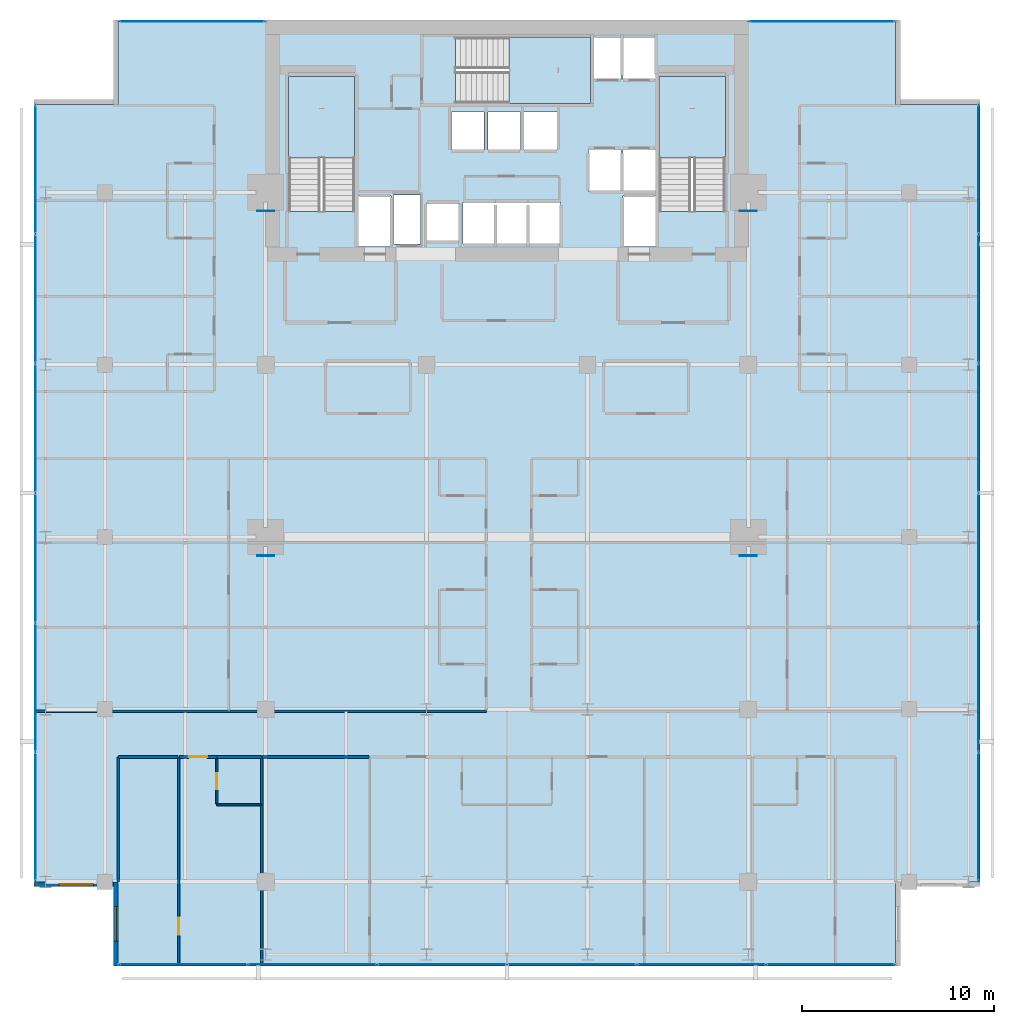
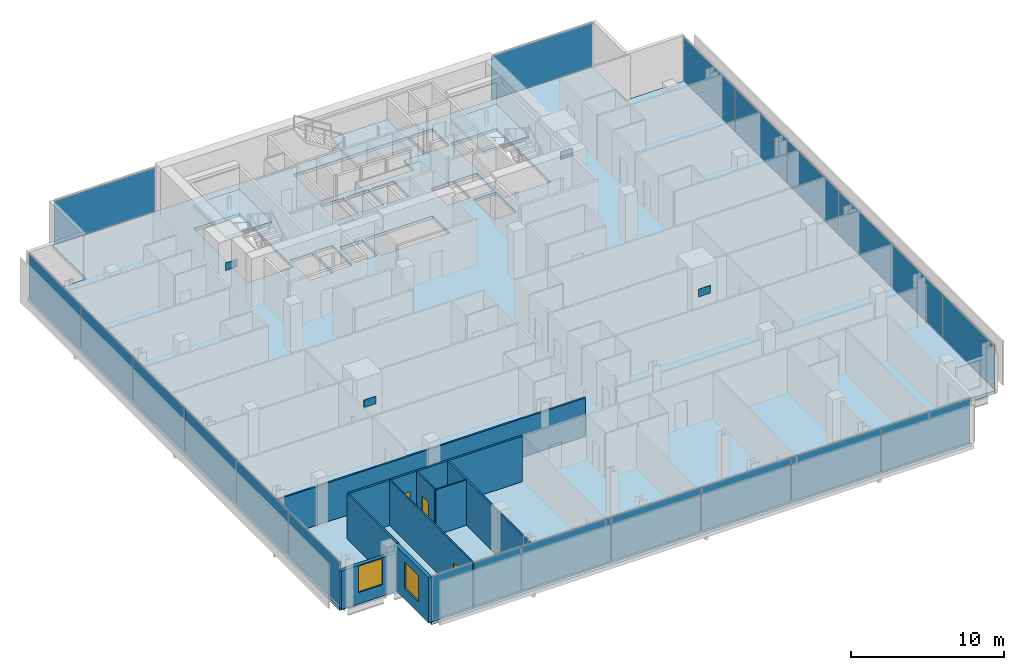
# One storey, part 26 of 34: 24 plates, 12 walls, 4 slabs, 3 doors, 2 windows, 5 openings, 8 elements without a shape of their own.
"""IFC4 building model written with IfcOpenShell, lengths in metres."""

from ifc_helpers import new_model, si_unit, direction, frame, frame_2d, origin, origin_2d, place, context, subcontext, project, spatial, polyline, rectangle, outline, extrude, material, layer, layer_set, type_object, element, fill, aggregate, save


model = new_model("IFC4")

# Units and contexts
model_context = context("Model", 3, precision=1e-05, world=origin(), true_north=direction((0.0, 1.0)))
body_context = subcontext(model_context, "Body", "Model", "MODEL_VIEW")
ifc_project = project(units=[si_unit("LENGTHUNIT", "METRE"), si_unit("AREAUNIT", "SQUARE_METRE"), si_unit("VOLUMEUNIT", "CUBIC_METRE"), si_unit("PLANEANGLEUNIT", "RADIAN"), si_unit("MASSUNIT", "GRAM", prefix="KILO")], contexts=[model_context])

# Site, building, storey
site_placement = place(None, origin())
site = spatial("IfcSite", under=ifc_project, at=site_placement, CompositionType="ELEMENT")
building_placement = place(site_placement, origin())
building = spatial("IfcBuilding", under=site, at=building_placement, Name="Maruvema Waterfront Hotel and Observation Tower", CompositionType="ELEMENT")
storey_placement = place(building_placement, frame((0.0, 0.0, 208.25)))
storey = spatial("IfcBuildingStorey", under=building, at=storey_placement, Name="L51", CompositionType="ELEMENT", Elevation=208.25)

# Slab
ifc_material_1 = material(Name="Concrete C50/60", Category="concrete")
ifc_layer_1 = layer(ifc_material_1, 0.239990234375, Name="Reinforced Concrete Floor Slab 240 mm")
ifc_layer_set_1 = layer_set([ifc_layer_1], Name="Concrete C50/60")
slab_type_1 = type_object("IfcSlabType", Name="Reinforced Concrete Floor Slab 240 mm", PredefinedType="FLOOR", material=ifc_layer_set_1)
slab_1_placement = place(storey_placement, frame((0.0, 0.0, -0.239990234375)))
element("IfcSlab", 1, at=slab_1_placement, inside=storey, type_object=slab_type_1, Name="L51 Structural Floor Slab", PredefinedType="FLOOR", context=body_context, shape_type="SweptSolid", body=[
    extrude(outline(polyline([(17.5, 4.60009765625), (58.10009765625, 4.60009765625), (58.10009765625, 9.0), (62.5, 9.0), (62.5, 49.60009765625), (58.10009765625, 49.60009765625), (58.10009765625, 54.0), (17.5, 54.0), (17.5, 49.60009765625), (13.10009765625, 49.60009765625), (13.10009765625, 9.0), (17.5, 9.0), (17.5, 4.60009765625)]), holes=[polyline([(26.39990234375, 44.00048828125), (26.39990234375, 51.050048828125), (29.85009765625, 51.050048828125), (29.85009765625, 44.00048828125), (26.39990234375, 44.00048828125)]), polyline([(30.050048828125, 44.800048828125), (31.75, 44.800048828125), (31.75, 42.169921875), (30.050048828125, 42.169921875), (30.050048828125, 44.800048828125)]), polyline([(31.8798828125, 44.860107421875), (33.280029296875, 44.860107421875), (33.280029296875, 42.2900390625), (31.8798828125, 42.2900390625), (31.8798828125, 44.860107421875)]), polyline([(33.60009765625, 44.449951171875), (35.300048828125, 44.449951171875), (35.300048828125, 42.449951171875), (33.60009765625, 42.449951171875), (33.60009765625, 44.449951171875)]), polyline([(34.89990234375, 49.199951171875), (36.60009765625, 49.199951171875), (36.60009765625, 47.199951171875), (34.89990234375, 47.199951171875), (34.89990234375, 49.199951171875)]), polyline([(36.800048828125, 49.199951171875), (38.5, 49.199951171875), (38.5, 47.199951171875), (36.800048828125, 47.199951171875), (36.800048828125, 49.199951171875)]), polyline([(35.5, 42.300048828125), (35.5, 44.5), (40.60009765625, 44.5), (40.60009765625, 42.300048828125), (35.5, 42.300048828125)]), polyline([(35.1005859375, 53.10009765625), (43.75, 53.10009765625), (43.75, 50.89990234375), (42.14990234375, 50.89990234375), (42.14990234375, 49.64990234375), (35.1005859375, 49.64990234375), (35.1005859375, 53.10009765625)]), polyline([(38.699951171875, 49.199951171875), (40.39990234375, 49.199951171875), (40.39990234375, 47.199951171875), (38.699951171875, 47.199951171875), (38.699951171875, 49.199951171875)]), polyline([(42.050048828125, 47.25), (43.75, 47.25), (43.75, 45.050048828125), (42.050048828125, 45.050048828125), (42.050048828125, 47.25)]), polyline([(43.85009765625, 44.800048828125), (45.550048828125, 44.800048828125), (45.550048828125, 42.169921875), (43.85009765625, 42.169921875), (43.85009765625, 44.800048828125)]), polyline([(43.85009765625, 47.25), (45.550048828125, 47.25), (45.550048828125, 45.050048828125), (43.85009765625, 45.050048828125), (43.85009765625, 47.25)]), polyline([(45.550048828125, 53.10009765625), (45.550048828125, 50.89990234375), (43.85009765625, 50.89990234375), (43.85009765625, 53.10009765625), (45.550048828125, 53.10009765625)]), polyline([(45.75, 44.00048828125), (45.75, 51.050048828125), (49.199951171875, 51.050048828125), (49.199951171875, 44.00048828125), (45.75, 44.00048828125)])]), origin(), (0.0, 0.0, 1.0), 0.239990234375),
])

# Curtain wall, plates
ifc_material_2 = material(Name="Anodised bronze aluminium and solar-control low-E IGU", Category="aluminium")
ifc_layer_2 = layer(ifc_material_2, 0.159912109375, Name="Zone 2 Amber Inner Thermal Curtain Wall System CW-03")
ifc_layer_set_2 = layer_set([ifc_layer_2], Name="Anodised bronze aluminium and solar-control low-E IGU")
curtain_wall_type = type_object("IfcCurtainWallType", Name="Zone 2 Amber Inner Thermal Curtain Wall System CW-03", PredefinedType="USERDEFINED", material=ifc_layer_set_2)
curtain_wall_1_placement = place(storey_placement, origin())
curtain_wall_1 = element("IfcCurtainWall", 2, at=curtain_wall_1_placement, inside=storey, type_object=curtain_wall_type, Name="L51 Curtain Wall CW-L51-S", ObjectType="UNITISED CURTAIN WALL", PredefinedType="USERDEFINED")
ifc_material_3 = material(Name="Laminated low-E solar-control double glazing", Category="glass")
ifc_layer_3 = layer(ifc_material_3, 0.035888671875, Name="Solar Control Double-Glazed Curtain Panel 36 mm")
ifc_layer_set_3 = layer_set([ifc_layer_3], Name="Laminated low-E solar-control double glazing")
plate_type_1 = type_object("IfcPlateType", Name="Solar Control Double-Glazed Curtain Panel 36 mm", PredefinedType="CURTAIN_PANEL", material=ifc_layer_set_3)
plate_1_placement = place(storey_placement, frame((20.8984375, 4.679931640625, 0.06005859375), z_axis=(0.0, 0.0, 1.0), x_axis=(1.0, 0.0, 0.0)))
plate_1 = element("IfcPlate", 3, at=plate_1_placement, type_object=plate_type_1, Name="CW-03 panel 1.1", PredefinedType="CURTAIN_PANEL", context=body_context, shape_type="SweptSolid", body=[
    extrude(rectangle(XDim=6.6767578125, YDim=0.028076171875, at=origin_2d()), origin(), (0.0, 0.0, 1.0), 3.489990234375),
])
plate_2_placement = place(storey_placement, frame((27.64990234375, 4.679931640625, 0.06005859375), z_axis=(0.0, 0.0, 1.0), x_axis=(1.0, 0.0, 0.0)))
plate_2 = element("IfcPlate", 4, at=plate_2_placement, type_object=plate_type_1, Name="CW-03 panel 2.1", PredefinedType="CURTAIN_PANEL", context=body_context, shape_type="SweptSolid", body=[
    extrude(rectangle(XDim=6.706787109375, YDim=0.028076171875, at=origin_2d()), origin(), (0.0, 0.0, 1.0), 3.489990234375),
])
plate_3_placement = place(storey_placement, frame((34.416748046875, 4.679931640625, 0.06005859375), z_axis=(0.0, 0.0, 1.0), x_axis=(1.0, 0.0, 0.0)))
plate_3 = element("IfcPlate", 5, at=plate_3_placement, type_object=plate_type_1, Name="CW-03 panel 3.1", PredefinedType="CURTAIN_PANEL", context=body_context, shape_type="SweptSolid", body=[
    extrude(rectangle(XDim=6.706787109375, YDim=0.028076171875, at=origin_2d()), origin(), (0.0, 0.0, 1.0), 3.489990234375),
])
plate_4_placement = place(storey_placement, frame((41.183349609375, 4.679931640625, 0.06005859375), z_axis=(0.0, 0.0, 1.0), x_axis=(1.0, 0.0, 0.0)))
plate_4 = element("IfcPlate", 6, at=plate_4_placement, type_object=plate_type_1, Name="CW-03 panel 4.1", PredefinedType="CURTAIN_PANEL", context=body_context, shape_type="SweptSolid", body=[
    extrude(rectangle(XDim=6.706787109375, YDim=0.028076171875, at=origin_2d()), origin(), (0.0, 0.0, 1.0), 3.489990234375),
])
plate_5_placement = place(storey_placement, frame((47.949951171875, 4.679931640625, 0.06005859375), z_axis=(0.0, 0.0, 1.0), x_axis=(1.0, 0.0, 0.0)))
plate_5 = element("IfcPlate", 7, at=plate_5_placement, type_object=plate_type_1, Name="CW-03 panel 5.1", PredefinedType="CURTAIN_PANEL", context=body_context, shape_type="SweptSolid", body=[
    extrude(rectangle(XDim=6.706787109375, YDim=0.028076171875, at=origin_2d()), origin(), (0.0, 0.0, 1.0), 3.489990234375),
])
plate_6_placement = place(storey_placement, frame((54.70166015625, 4.679931640625, 0.06005859375), z_axis=(0.0, 0.0, 1.0), x_axis=(1.0, 0.0, 0.0)))
plate_6 = element("IfcPlate", 8, at=plate_6_placement, type_object=plate_type_1, Name="CW-03 panel 6.1", PredefinedType="CURTAIN_PANEL", context=body_context, shape_type="SweptSolid", body=[
    extrude(rectangle(XDim=6.6767578125, YDim=0.028076171875, at=origin_2d()), origin(), (0.0, 0.0, 1.0), 3.489990234375),
])
aggregate(curtain_wall_1, [plate_1, plate_2, plate_3, plate_4, plate_5, plate_6])

curtain_wall_2_placement = place(storey_placement, origin())
curtain_wall_2 = element("IfcCurtainWall", 9, at=curtain_wall_2_placement, inside=storey, type_object=curtain_wall_type, Name="L51 Curtain Wall CW-L51-E", ObjectType="UNITISED CURTAIN WALL", PredefinedType="USERDEFINED")
plate_7_placement = place(storey_placement, frame((62.419921875, 12.3984375, 0.06005859375), z_axis=(0.0, 0.0, 1.0), x_axis=(0.0, 1.0, 0.0)))
plate_7 = element("IfcPlate", 10, at=plate_7_placement, type_object=plate_type_1, Name="CW-03 panel 1.1", PredefinedType="CURTAIN_PANEL", context=body_context, shape_type="SweptSolid", body=[
    extrude(rectangle(XDim=6.6767578125, YDim=0.028076171875, at=origin_2d()), origin(), (0.0, 0.0, 1.0), 3.489990234375),
])
plate_8_placement = place(storey_placement, frame((62.419921875, 19.14990234375, 0.06005859375), z_axis=(0.0, 0.0, 1.0), x_axis=(0.0, 1.0, 0.0)))
plate_8 = element("IfcPlate", 11, at=plate_8_placement, type_object=plate_type_1, Name="CW-03 panel 2.1", PredefinedType="CURTAIN_PANEL", context=body_context, shape_type="SweptSolid", body=[
    extrude(rectangle(XDim=6.706787109375, YDim=0.028076171875, at=origin_2d()), origin(), (0.0, 0.0, 1.0), 3.489990234375),
])
plate_9_placement = place(storey_placement, frame((62.419921875, 25.916748046875, 0.06005859375), z_axis=(0.0, 0.0, 1.0), x_axis=(0.0, 1.0, 0.0)))
plate_9 = element("IfcPlate", 12, at=plate_9_placement, type_object=plate_type_1, Name="CW-03 panel 3.1", PredefinedType="CURTAIN_PANEL", context=body_context, shape_type="SweptSolid", body=[
    extrude(rectangle(XDim=6.706787109375, YDim=0.028076171875, at=origin_2d()), origin(), (0.0, 0.0, 1.0), 3.489990234375),
])
plate_10_placement = place(storey_placement, frame((62.419921875, 32.683349609375, 0.06005859375), z_axis=(0.0, 0.0, 1.0), x_axis=(0.0, 1.0, 0.0)))
plate_10 = element("IfcPlate", 13, at=plate_10_placement, type_object=plate_type_1, Name="CW-03 panel 4.1", PredefinedType="CURTAIN_PANEL", context=body_context, shape_type="SweptSolid", body=[
    extrude(rectangle(XDim=6.706787109375, YDim=0.028076171875, at=origin_2d()), origin(), (0.0, 0.0, 1.0), 3.489990234375),
])
plate_11_placement = place(storey_placement, frame((62.419921875, 39.449951171875, 0.06005859375), z_axis=(0.0, 0.0, 1.0), x_axis=(0.0, 1.0, 0.0)))
plate_11 = element("IfcPlate", 14, at=plate_11_placement, type_object=plate_type_1, Name="CW-03 panel 5.1", PredefinedType="CURTAIN_PANEL", context=body_context, shape_type="SweptSolid", body=[
    extrude(rectangle(XDim=6.706787109375, YDim=0.028076171875, at=origin_2d()), origin(), (0.0, 0.0, 1.0), 3.489990234375),
])
plate_12_placement = place(storey_placement, frame((62.419921875, 46.20166015625, 0.06005859375), z_axis=(0.0, 0.0, 1.0), x_axis=(0.0, 1.0, 0.0)))
plate_12 = element("IfcPlate", 15, at=plate_12_placement, type_object=plate_type_1, Name="CW-03 panel 6.1", PredefinedType="CURTAIN_PANEL", context=body_context, shape_type="SweptSolid", body=[
    extrude(rectangle(XDim=6.6767578125, YDim=0.028076171875, at=origin_2d()), origin(), (0.0, 0.0, 1.0), 3.489990234375),
])
aggregate(curtain_wall_2, [plate_7, plate_8, plate_9, plate_10, plate_11, plate_12])

curtain_wall_3_placement = place(storey_placement, origin())
curtain_wall_3 = element("IfcCurtainWall", 16, at=curtain_wall_3_placement, inside=storey, type_object=curtain_wall_type, Name="L51 Curtain Wall CW-L51-W", ObjectType="UNITISED CURTAIN WALL", PredefinedType="USERDEFINED")
plate_13_placement = place(storey_placement, frame((13.179931640625, 46.20166015625, 0.06005859375), z_axis=(0.0, 0.0, 1.0), x_axis=(0.0, -1.0, 0.0)))
plate_13 = element("IfcPlate", 17, at=plate_13_placement, type_object=plate_type_1, Name="CW-03 panel 1.1", PredefinedType="CURTAIN_PANEL", context=body_context, shape_type="SweptSolid", body=[
    extrude(rectangle(XDim=6.6767578125, YDim=0.028076171875, at=origin_2d()), origin(), (0.0, 0.0, 1.0), 3.489990234375),
])
plate_14_placement = place(storey_placement, frame((13.179931640625, 39.449951171875, 0.06005859375), z_axis=(0.0, 0.0, 1.0), x_axis=(0.0, -1.0, 0.0)))
plate_14 = element("IfcPlate", 18, at=plate_14_placement, type_object=plate_type_1, Name="CW-03 panel 2.1", PredefinedType="CURTAIN_PANEL", context=body_context, shape_type="SweptSolid", body=[
    extrude(rectangle(XDim=6.706787109375, YDim=0.028076171875, at=origin_2d()), origin(), (0.0, 0.0, 1.0), 3.489990234375),
])
plate_15_placement = place(storey_placement, frame((13.179931640625, 32.683349609375, 0.06005859375), z_axis=(0.0, 0.0, 1.0), x_axis=(0.0, -1.0, 0.0)))
plate_15 = element("IfcPlate", 19, at=plate_15_placement, type_object=plate_type_1, Name="CW-03 panel 3.1", PredefinedType="CURTAIN_PANEL", context=body_context, shape_type="SweptSolid", body=[
    extrude(rectangle(XDim=6.706787109375, YDim=0.028076171875, at=origin_2d()), origin(), (0.0, 0.0, 1.0), 3.489990234375),
])
plate_16_placement = place(storey_placement, frame((13.179931640625, 25.916748046875, 0.06005859375), z_axis=(0.0, 0.0, 1.0), x_axis=(0.0, -1.0, 0.0)))
plate_16 = element("IfcPlate", 20, at=plate_16_placement, type_object=plate_type_1, Name="CW-03 panel 4.1", PredefinedType="CURTAIN_PANEL", context=body_context, shape_type="SweptSolid", body=[
    extrude(rectangle(XDim=6.706787109375, YDim=0.028076171875, at=origin_2d()), origin(), (0.0, 0.0, 1.0), 3.489990234375),
])
plate_17_placement = place(storey_placement, frame((13.179931640625, 19.14990234375, 0.06005859375), z_axis=(0.0, 0.0, 1.0), x_axis=(0.0, -1.0, 0.0)))
plate_17 = element("IfcPlate", 21, at=plate_17_placement, type_object=plate_type_1, Name="CW-03 panel 5.1", PredefinedType="CURTAIN_PANEL", context=body_context, shape_type="SweptSolid", body=[
    extrude(rectangle(XDim=6.706787109375, YDim=0.028076171875, at=origin_2d()), origin(), (0.0, 0.0, 1.0), 3.489990234375),
])
plate_18_placement = place(storey_placement, frame((13.179931640625, 12.3984375, 0.06005859375), z_axis=(0.0, 0.0, 1.0), x_axis=(0.0, -1.0, 0.0)))
plate_18 = element("IfcPlate", 22, at=plate_18_placement, type_object=plate_type_1, Name="CW-03 panel 6.1", PredefinedType="CURTAIN_PANEL", context=body_context, shape_type="SweptSolid", body=[
    extrude(rectangle(XDim=6.6767578125, YDim=0.028076171875, at=origin_2d()), origin(), (0.0, 0.0, 1.0), 3.489990234375),
])
aggregate(curtain_wall_3, [plate_13, plate_14, plate_15, plate_16, plate_17, plate_18])

# Curtain wall, plate
curtain_wall_4_placement = place(storey_placement, origin())
curtain_wall_4 = element("IfcCurtainWall", 23, at=curtain_wall_4_placement, inside=storey, type_object=curtain_wall_type, Name="L51 Curtain Wall CW-L51-NW", ObjectType="UNITISED CURTAIN WALL", PredefinedType="USERDEFINED")
plate_19_placement = place(storey_placement, frame((21.35009765625, 53.919921875, 0.06005859375), z_axis=(0.0, 0.0, 1.0), x_axis=(-1.0, 0.0, 0.0)))
plate_19 = element("IfcPlate", 24, at=plate_19_placement, type_object=plate_type_1, Name="CW-03 panel 1.1", PredefinedType="CURTAIN_PANEL", context=body_context, shape_type="SweptSolid", body=[
    extrude(rectangle(XDim=7.580078125, YDim=0.028076171875, at=origin_2d()), origin(), (0.0, 0.0, 1.0), 3.489990234375),
])
aggregate(curtain_wall_4, [plate_19])

curtain_wall_5_placement = place(storey_placement, origin())
curtain_wall_5 = element("IfcCurtainWall", 25, at=curtain_wall_5_placement, inside=storey, type_object=curtain_wall_type, Name="L51 Curtain Wall CW-L51-NE", ObjectType="UNITISED CURTAIN WALL", PredefinedType="USERDEFINED")
plate_20_placement = place(storey_placement, frame((54.25, 53.919921875, 0.06005859375), z_axis=(0.0, 0.0, 1.0), x_axis=(-1.0, 0.0, 0.0)))
plate_20 = element("IfcPlate", 26, at=plate_20_placement, type_object=plate_type_1, Name="CW-03 panel 1.1", PredefinedType="CURTAIN_PANEL", context=body_context, shape_type="SweptSolid", body=[
    extrude(rectangle(XDim=7.580078125, YDim=0.028076171875, at=origin_2d()), origin(), (0.0, 0.0, 1.0), 3.489990234375),
])
aggregate(curtain_wall_5, [plate_20])

# Stair, slab
ifc_material_4 = material(Name="Concrete C50/60", Category="concrete")
stair_type = type_object("IfcStairType", Name="Dogleg Exit Stair 1650 mm (22R x 175.0 mm)", PredefinedType="HALF_TURN_STAIR", material=ifc_material_4)
stair_1_placement = place(storey_placement, origin())
stair_1 = element("IfcStair", 27, at=stair_1_placement, inside=storey, type_object=stair_type, Name="L51 ST-01", PredefinedType="HALF_TURN_STAIR")
ifc_material_5 = material(Name="Concrete C50/60", Category="concrete")
ifc_layer_4 = layer(ifc_material_5, 0.219970703125, Name="Stair Concrete Landing Slab 220 mm")
ifc_layer_set_4 = layer_set([ifc_layer_4], Name="Concrete C50/60")
slab_type_2 = type_object("IfcSlabType", Name="Stair Concrete Landing Slab 220 mm", PredefinedType="LANDING", material=ifc_layer_set_4)
slab_2_placement = place(storey_placement, frame((0.0, 0.0, 1.705078125)))
slab_2 = element("IfcSlab", 28, at=slab_2_placement, type_object=slab_type_2, Name="ST-01 landing 1", PredefinedType="LANDING", context=body_context, shape_type="SweptSolid", body=[
    extrude(outline(polyline([(29.85009765625, 46.800048828125), (29.85009765625, 51.050048828125), (26.39990234375, 51.050048828125), (26.39990234375, 46.800048828125), (29.85009765625, 46.800048828125)])), origin(), (0.0, 0.0, 1.0), 0.219970703125),
])
aggregate(stair_1, [slab_2])

stair_2_placement = place(storey_placement, origin())
stair_2 = element("IfcStair", 29, at=stair_2_placement, inside=storey, type_object=stair_type, Name="L51 ST-02", PredefinedType="HALF_TURN_STAIR")
slab_3_placement = place(storey_placement, frame((0.0, 0.0, 1.705078125)))
slab_3 = element("IfcSlab", 30, at=slab_3_placement, type_object=slab_type_2, Name="ST-02 landing 1", PredefinedType="LANDING", context=body_context, shape_type="SweptSolid", body=[
    extrude(outline(polyline([(37.89990234375, 49.64990234375), (42.14990234375, 49.64990234375), (42.14990234375, 53.10009765625), (37.89990234375, 53.10009765625), (37.89990234375, 49.64990234375)])), origin(), (0.0, 0.0, 1.0), 0.219970703125),
])
aggregate(stair_2, [slab_3])

stair_3_placement = place(storey_placement, origin())
stair_3 = element("IfcStair", 31, at=stair_3_placement, inside=storey, type_object=stair_type, Name="L51 ST-03", PredefinedType="HALF_TURN_STAIR")
slab_4_placement = place(storey_placement, frame((0.0, 0.0, 1.705078125)))
slab_4 = element("IfcSlab", 32, at=slab_4_placement, type_object=slab_type_2, Name="ST-03 landing 1", PredefinedType="LANDING", context=body_context, shape_type="SweptSolid", body=[
    extrude(outline(polyline([(49.199951171875, 46.800048828125), (49.199951171875, 51.050048828125), (45.75, 51.050048828125), (45.75, 46.800048828125), (49.199951171875, 46.800048828125)])), origin(), (0.0, 0.0, 1.0), 0.219970703125),
])
aggregate(stair_3, [slab_4])

# Plates
ifc_material_6 = material(Name="Steel ABNT NBR 7007 AR 415 (ASTM A572 Grade 50)", Category="steel")
ifc_layer_5 = layer(ifc_material_6, 0.0400390625, Name="Structural Truss Node Gusset Plate 40 mm")
ifc_layer_set_5 = layer_set([ifc_layer_5], Name="Steel ABNT NBR 7007 AR 415 (ASTM A572 Grade 50)")
plate_type_2 = type_object("IfcPlateType", Name="Structural Truss Node Gusset Plate 40 mm", PredefinedType="USERDEFINED", material=ifc_layer_set_5)
for number, where, z_axis, x_axis, name in (
    (33, (25.199951171875, 26.030029296875, 1.5), (0.0, 0.0, 1.0), (1.0, 0.0, 0.0), "L51 MC-01 Moment Frame Continuity Gusset Plate"),
    (34, (50.39990234375, 26.030029296875, 1.5), (0.0, 0.0, 1.0), (1.0, 0.0, 0.0), "L51 MC-02 Moment Frame Continuity Gusset Plate"),
    (35, (25.199951171875, 44.030029296875, 1.5), (0.0, 0.0, 1.0), (1.0, 0.0, 0.0), "L51 MC-03 Moment Frame Continuity Gusset Plate"),
    (36, (50.39990234375, 44.030029296875, 1.5), (0.0, 0.0, 1.0), (1.0, 0.0, 0.0), "L51 MC-04 Moment Frame Continuity Gusset Plate"),
):
    element("IfcPlate", number, at=place(storey_placement, frame(where, z_axis=z_axis, x_axis=x_axis)), inside=storey, type_object=plate_type_2, Name=name, ObjectType="GUSSET_PLATE", PredefinedType="USERDEFINED", context=body_context, shape_type="SweptSolid", body=[
        extrude(rectangle(XDim=0.89990234375, YDim=0.0400390625, at=origin_2d()), origin(), (0.0, 0.0, 1.0), 0.60009765625),
    ])

# Walls
ifc_material_7 = material(Name="Twin-stud acoustic gypsum drywall", Category="gypsum")
ifc_layer_6 = layer(ifc_material_7, 0.14990234375, Name="Acoustic Corridor and Suite Demising Wall 150 mm")
ifc_layer_set_6 = layer_set([ifc_layer_6], Name="Twin-stud acoustic gypsum drywall")
wall_type_1 = type_object("IfcWallType", Name="Acoustic Corridor and Suite Demising Wall 150 mm", PredefinedType="PARTITIONING", material=ifc_layer_set_6)
wall_1_placement = place(storey_placement, frame((22.64990234375, 15.52001953125, 0.0), z_axis=(0.0, 0.0, 1.0), x_axis=(1.0, 0.0, 0.0)))
element("IfcWall", 37, at=wall_1_placement, inside=storey, type_object=wall_type_1, Name="L51 Bath L51-S1 Back Wall 031", PredefinedType="PARTITIONING", context=body_context, shape_type="SweptSolid", body=[
    extrude(rectangle(XDim=2.330078125, YDim=0.14990234375, at=frame_2d((1.1650390625, 0.0))), origin(), (0.0, 0.0, 1.0), 3.610107421875),
])
wall_2_placement = place(storey_placement, frame((17.52001953125, 15.52001953125, 0.0), z_axis=(0.0, 0.0, 1.0), x_axis=(1.0, 0.0, 0.0)))
element("IfcWall", 38, at=wall_2_placement, inside=storey, type_object=wall_type_1, Name="L51 Bedroom L51-S1 Back Wall 034", PredefinedType="PARTITIONING", context=body_context, shape_type="SweptSolid", body=[
    extrude(rectangle(XDim=3.090087890625, YDim=0.14990234375, at=frame_2d((1.544921875, 0.0))), origin(), (0.0, 0.0, 1.0), 3.610107421875),
])

# Wall, opening, door
wall_3_placement = place(storey_placement, frame((20.68994140625, 15.52001953125, 0.0), z_axis=(0.0, 0.0, 1.0), x_axis=(1.0, 0.0, 0.0)))
wall_3 = element("IfcWall", 39, at=wall_3_placement, inside=storey, type_object=wall_type_1, Name="L51 Unit L51-S1 Corridor Wall 035", PredefinedType="PARTITIONING", context=body_context, shape_type="SweptSolid", body=[
    extrude(rectangle(XDim=1.9599609375, YDim=0.14990234375, at=frame_2d((0.97998046875, 0.0))), origin(), (0.0, 0.0, 1.0), 3.610107421875),
])
opening_1_placement = place(wall_3_placement, frame((0.5048828125, 0.0, 0.0)))
opening_1 = element("IfcOpeningElement", 40, at=opening_1_placement, cuts=wall_3, Name="Opening DR-095", PredefinedType="OPENING", context=body_context, shape_type="SweptSolid", body=[
    extrude(rectangle(XDim=0.949951171875, YDim=2.14990234375, at=frame_2d((0.47509765625, 1.074951171875))), frame((0.0, 0.0849609375, 0.0), z_axis=(0.0, -1.0, 0.0), x_axis=(1.0, 0.0, 0.0)), (0.0, 0.0, 1.0), 0.169921875),
])
ifc_material_8 = material(Name="Acoustic solid-core hardwood timber leaf", Category="wood")
door_type_1 = type_object("IfcDoorType", Name="Guestroom Entrance Fire Door 950x2150 mm", OperationType="NOTDEFINED", PredefinedType="DOOR", material=ifc_material_8)
door_1_placement = place(opening_1_placement, frame((0.949951171875, 0.0, 0.0), z_axis=(0.0, 0.0, 1.0), x_axis=(-1.0, 0.0, 0.0)))
door_1 = element("IfcDoor", 41, at=door_1_placement, inside=storey, type_object=door_type_1, Name="L51 Unit L51-S1 Entrance Door", OperationType="SINGLE_SWING_RIGHT", OverallHeight=2.14990234375, OverallWidth=0.949951171875, PredefinedType="DOOR", context=body_context, shape_type="SweptSolid", body=[
    extrude(rectangle(XDim=0.949951171875, YDim=2.14990234375, at=frame_2d((0.47509765625, 1.074951171875))), frame((0.0, 0.02490234375, 0.0), z_axis=(0.0, -1.0, 0.0), x_axis=(1.0, 0.0, 0.0)), (0.0, 0.0, 1.0), 0.050048828125),
])
fill(opening_1, door_1)

# Walls
wall_4_placement = place(storey_placement, frame((25.02001953125, 15.52001953125, 0.0), z_axis=(0.0, 0.0, 1.0), x_axis=(1.0, 0.0, 0.0)))
element("IfcWall", 42, at=wall_4_placement, inside=storey, type_object=wall_type_1, Name="L51 Bedroom L51-S2 Back Wall 041", PredefinedType="PARTITIONING", context=body_context, shape_type="SweptSolid", body=[
    extrude(rectangle(XDim=5.572021484375, YDim=0.14990234375, at=frame_2d((2.7861328125, 0.0))), origin(), (0.0, 0.0, 1.0), 3.610107421875),
])
ifc_material_9 = material(Name="Moisture-resistant cement-board drywall", Category="gypsum")
ifc_layer_7 = layer(ifc_material_9, 0.10009765625, Name="En-Suite Moisture-Resistant Partition 100 mm")
ifc_layer_set_7 = layer_set([ifc_layer_7], Name="Moisture-resistant cement-board drywall")
wall_type_2 = type_object("IfcWallType", Name="En-Suite Moisture-Resistant Partition 100 mm", PredefinedType="PARTITIONING", material=ifc_layer_set_7)
wall_5_placement = place(storey_placement, frame((22.64990234375, 13.02001953125, 0.0), z_axis=(0.0, 0.0, 1.0), x_axis=(1.0, 0.0, 0.0)))
element("IfcWall", 43, at=wall_5_placement, inside=storey, type_object=wall_type_2, Name="L51 En-Suite L51-S1 South 032", PredefinedType="PARTITIONING", context=body_context, shape_type="SweptSolid", body=[
    extrude(rectangle(XDim=2.31005859375, YDim=0.10009765625, at=frame_2d((1.155029296875, 0.0))), origin(), (0.0, 0.0, 1.0), 3.610107421875),
])

# Wall, opening, door
wall_6_placement = place(storey_placement, frame((22.64990234375, 13.080078125, 0.0), z_axis=(0.0, 0.0, 1.0), x_axis=(0.0, 1.0, 0.0)))
wall_6 = element("IfcWall", 44, at=wall_6_placement, inside=storey, type_object=wall_type_2, Name="L51 En-Suite L51-S1 West 033", PredefinedType="PARTITIONING", context=body_context, shape_type="SweptSolid", body=[
    extrude(rectangle(XDim=2.33984375, YDim=0.10009765625, at=frame_2d((1.169921875, 0.0))), origin(), (0.0, 0.0, 1.0), 3.610107421875),
])
opening_2_placement = place(wall_6_placement, frame((0.7451171875, 0.0, 0.0)))
opening_2 = element("IfcOpeningElement", 45, at=opening_2_placement, cuts=wall_6, Name="Opening DR-085", PredefinedType="OPENING", context=body_context, shape_type="SweptSolid", body=[
    extrude(rectangle(XDim=0.85009765625, YDim=2.10009765625, at=frame_2d((0.425048828125, 1.050048828125))), frame((0.0, 0.06005859375, 0.0), z_axis=(0.0, -1.0, 0.0), x_axis=(1.0, 0.0, 0.0)), (0.0, 0.0, 1.0), 0.1201171875),
])
ifc_material_10 = material(Name="Moisture-resistant solid timber leaf", Category="wood")
door_type_2 = type_object("IfcDoorType", Name="En-Suite Bathroom Door 850x2100 mm", OperationType="NOTDEFINED", PredefinedType="DOOR", material=ifc_material_10)
door_2_placement = place(opening_2_placement, origin())
door_2 = element("IfcDoor", 46, at=door_2_placement, inside=storey, type_object=door_type_2, Name="L51 En-Suite L51-S1 Door", OperationType="SINGLE_SWING_LEFT", OverallHeight=2.10009765625, OverallWidth=0.85009765625, PredefinedType="DOOR", context=body_context, shape_type="SweptSolid", body=[
    extrude(rectangle(XDim=0.85009765625, YDim=2.10009765625, at=frame_2d((0.425048828125, 1.050048828125))), frame((0.0, 0.02490234375, 0.0), z_axis=(0.0, -1.0, 0.0), x_axis=(1.0, 0.0, 0.0)), (0.0, 0.0, 1.0), 0.050048828125),
])
fill(opening_2, door_2)

wall_7_placement = place(storey_placement, frame((20.64990234375, 4.6298828125, 0.0), z_axis=(0.0, 0.0, 1.0), x_axis=(0.0, 1.0, 0.0)))
wall_7 = element("IfcWall", 47, at=wall_7_placement, inside=storey, type_object=wall_type_2, Name="L51 Suite L51-S1 Split 036", PredefinedType="PARTITIONING", context=body_context, shape_type="SweptSolid", body=[
    extrude(rectangle(XDim=10.830078125, YDim=0.10009765625, at=frame_2d((5.4150390625, 0.0))), origin(), (0.0, 0.0, 1.0), 3.610107421875),
])
opening_3_placement = place(wall_7_placement, frame((1.60009765625, 0.0, 0.0)))
opening_3 = element("IfcOpeningElement", 48, at=opening_3_placement, cuts=wall_7, Name="Opening DR-090", PredefinedType="OPENING", context=body_context, shape_type="SweptSolid", body=[
    extrude(rectangle(XDim=0.89990234375, YDim=2.10009765625, at=frame_2d((0.449951171875, 1.050048828125))), frame((0.0, 0.06005859375, 0.0), z_axis=(0.0, -1.0, 0.0), x_axis=(1.0, 0.0, 0.0)), (0.0, 0.0, 1.0), 0.1201171875),
])
ifc_material_11 = material(Name="Solid-core lacquered timber leaf", Category="wood")
door_type_3 = type_object("IfcDoorType", Name="Accessible Toilet and Room Door 900x2100 mm", OperationType="NOTDEFINED", PredefinedType="DOOR", material=ifc_material_11)
door_3_placement = place(opening_3_placement, frame((0.89990234375, 0.0, 0.0), z_axis=(0.0, 0.0, 1.0), x_axis=(-1.0, 0.0, 0.0)))
door_3 = element("IfcDoor", 49, at=door_3_placement, inside=storey, type_object=door_type_3, Name="L51 Suite L51-S1 Bedroom Door", OperationType="SINGLE_SWING_LEFT", OverallHeight=2.10009765625, OverallWidth=0.89990234375, PredefinedType="DOOR", context=body_context, shape_type="SweptSolid", body=[
    extrude(rectangle(XDim=0.89990234375, YDim=2.10009765625, at=frame_2d((0.449951171875, 1.050048828125))), frame((0.0, 0.02490234375, 0.0), z_axis=(0.0, -1.0, 0.0), x_axis=(1.0, 0.0, 0.0)), (0.0, 0.0, 1.0), 0.050048828125),
])
fill(opening_3, door_3)

# Wall, opening, window
ifc_material_12 = material(Name="Precast concrete C45/55 with honed Pernambuco granite facing", Category="masonry")
ifc_layer_8 = layer(ifc_material_12, 0.260009765625, Name="Exterior Granite Clad Spandrel and Pier Wall 260 mm")
ifc_layer_set_8 = layer_set([ifc_layer_8], Name="Precast concrete C45/55 with honed Pernambuco granite facing")
wall_type_3 = type_object("IfcWallType", Name="Exterior Granite Clad Spandrel and Pier Wall 260 mm", PredefinedType="SOLIDWALL", material=ifc_layer_set_8)
wall_8_placement = place(storey_placement, frame((17.3701171875, 4.60009765625, 0.0), z_axis=(0.0, 0.0, 1.0), x_axis=(0.0, 1.0, 0.0)))
wall_8 = element("IfcWall", 50, at=wall_8_placement, inside=storey, type_object=wall_type_3, Name="L51 Corner Notch Granite Pier Wall SW1", PredefinedType="SOLIDWALL", context=body_context, shape_type="SweptSolid", body=[
    extrude(rectangle(XDim=4.39990234375, YDim=0.260009765625, at=frame_2d((2.199951171875, 0.0))), origin(), (0.0, 0.0, 1.0), 3.610107421875),
])
opening_4_placement = place(wall_8_placement, frame((1.300048828125, 0.0, 0.89990234375)))
opening_4 = element("IfcOpeningElement", 51, at=opening_4_placement, cuts=wall_8, Name="Opening WN-02", PredefinedType="OPENING", context=body_context, shape_type="SweptSolid", body=[
    extrude(rectangle(XDim=1.800048828125, YDim=2.10009765625, at=frame_2d((0.89990234375, 1.050048828125))), frame((0.0, 0.14013671875, 0.0), z_axis=(0.0, -1.0, 0.0), x_axis=(1.0, 0.0, 0.0)), (0.0, 0.0, 1.0), 0.280029296875),
])
ifc_material_13 = material(Name="Anodised bronze aluminium frame with laminated low-E glass", Category="aluminium")
window_type = type_object("IfcWindowType", Name="Upper Notch Feature Window 1800x2100 mm", PartitioningType="SINGLE_PANEL", PredefinedType="WINDOW", material=ifc_material_13)
window_1_placement = place(opening_4_placement, origin())
window_1 = element("IfcWindow", 52, at=window_1_placement, inside=storey, type_object=window_type, Name="L51 Corner Notch Punched Window SW1", OverallHeight=2.10009765625, OverallWidth=1.800048828125, PartitioningType="SINGLE_PANEL", PredefinedType="WINDOW", context=body_context, shape_type="SweptSolid", body=[
    extrude(rectangle(XDim=1.800048828125, YDim=2.10009765625, at=frame_2d((0.89990234375, 1.050048828125))), frame((0.0, 0.030029296875, 0.0), z_axis=(0.0, -1.0, 0.0), x_axis=(1.0, 0.0, 0.0)), (0.0, 0.0, 1.0), 0.06005859375),
])
fill(opening_4, window_1)

wall_9_placement = place(storey_placement, frame((17.5, 8.8701171875, 0.0), z_axis=(0.0, 0.0, 1.0), x_axis=(-1.0, 0.0, 0.0)))
wall_9 = element("IfcWall", 53, at=wall_9_placement, inside=storey, type_object=wall_type_3, Name="L51 Corner Notch Granite Pier Wall SW2", PredefinedType="SOLIDWALL", context=body_context, shape_type="SweptSolid", body=[
    extrude(rectangle(XDim=4.39990234375, YDim=0.260009765625, at=frame_2d((2.199951171875, 0.0))), origin(), (0.0, 0.0, 1.0), 3.071044921875),
])
opening_5_placement = place(wall_9_placement, frame((1.300048828125, 0.0, 0.89990234375)))
opening_5 = element("IfcOpeningElement", 54, at=opening_5_placement, cuts=wall_9, Name="Opening WN-02", PredefinedType="OPENING", context=body_context, shape_type="SweptSolid", body=[
    extrude(rectangle(XDim=1.800048828125, YDim=2.10009765625, at=frame_2d((0.89990234375, 1.050048828125))), frame((0.0, 0.14013671875, 0.0), z_axis=(0.0, -1.0, 0.0), x_axis=(1.0, 0.0, 0.0)), (0.0, 0.0, 1.0), 0.280029296875),
])
window_2_placement = place(opening_5_placement, origin())
window_2 = element("IfcWindow", 55, at=window_2_placement, inside=storey, type_object=window_type, Name="L51 Corner Notch Punched Window SW2", OverallHeight=2.10009765625, OverallWidth=1.800048828125, PartitioningType="SINGLE_PANEL", PredefinedType="WINDOW", context=body_context, shape_type="SweptSolid", body=[
    extrude(rectangle(XDim=1.800048828125, YDim=2.10009765625, at=frame_2d((0.89990234375, 1.050048828125))), frame((0.0, 0.030029296875, 0.0), z_axis=(0.0, -1.0, 0.0), x_axis=(1.0, 0.0, 0.0)), (0.0, 0.0, 1.0), 0.06005859375),
])
fill(opening_5, window_2)

# Walls
ifc_material_14 = material(Name="Acoustic gypsum plasterboard drywall", Category="gypsum")
ifc_layer_9 = layer(ifc_material_14, 0.125, Name="Guestroom Acoustic Demising Wall 125 mm")
ifc_layer_set_9 = layer_set([ifc_layer_9], Name="Acoustic gypsum plasterboard drywall")
wall_type_4 = type_object("IfcWallType", Name="Guestroom Acoustic Demising Wall 125 mm", PredefinedType="PARTITIONING", material=ifc_layer_set_9)
wall_10_placement = place(storey_placement, frame((17.5, 9.0, 0.0), z_axis=(0.0, 0.0, 1.0), x_axis=(0.0, 1.0, 0.0)))
element("IfcWall", 56, at=wall_10_placement, inside=storey, type_object=wall_type_4, Name="L51 Z2 S West End 029", PredefinedType="PARTITIONING", context=body_context, shape_type="SweptSolid", body=[
    extrude(rectangle(XDim=6.52001953125, YDim=0.125, at=frame_2d((3.260009765625, 0.0))), origin(), (0.0, 0.0, 1.0), 3.610107421875),
])
wall_11_placement = place(storey_placement, frame((25.0, 4.699951171875, 0.0), z_axis=(0.0, 0.0, 1.0), x_axis=(0.0, 1.0, 0.0)))
element("IfcWall", 57, at=wall_11_placement, inside=storey, type_object=wall_type_4, Name="L51 Z2 S Demising 2 037", PredefinedType="PARTITIONING", context=body_context, shape_type="SweptSolid", body=[
    extrude(rectangle(XDim=10.820068359375, YDim=0.125, at=frame_2d((5.41015625, 0.0))), origin(), (0.0, 0.0, 1.0), 3.610107421875),
])
wall_12_placement = place(storey_placement, frame((13.199951171875, 17.89990234375, 0.0), z_axis=(0.0, 0.0, 1.0), x_axis=(1.0, 0.0, 0.0)))
element("IfcWall", 58, at=wall_12_placement, inside=storey, type_object=wall_type_4, Name="L51 Z2 W Bot End 058", PredefinedType="PARTITIONING", context=body_context, shape_type="SweptSolid", body=[
    extrude(rectangle(XDim=23.52001953125, YDim=0.125, at=frame_2d((11.760009765625, 0.0))), origin(), (0.0, 0.0, 1.0), 3.071044921875),
])

save(model, "model.ifc")
